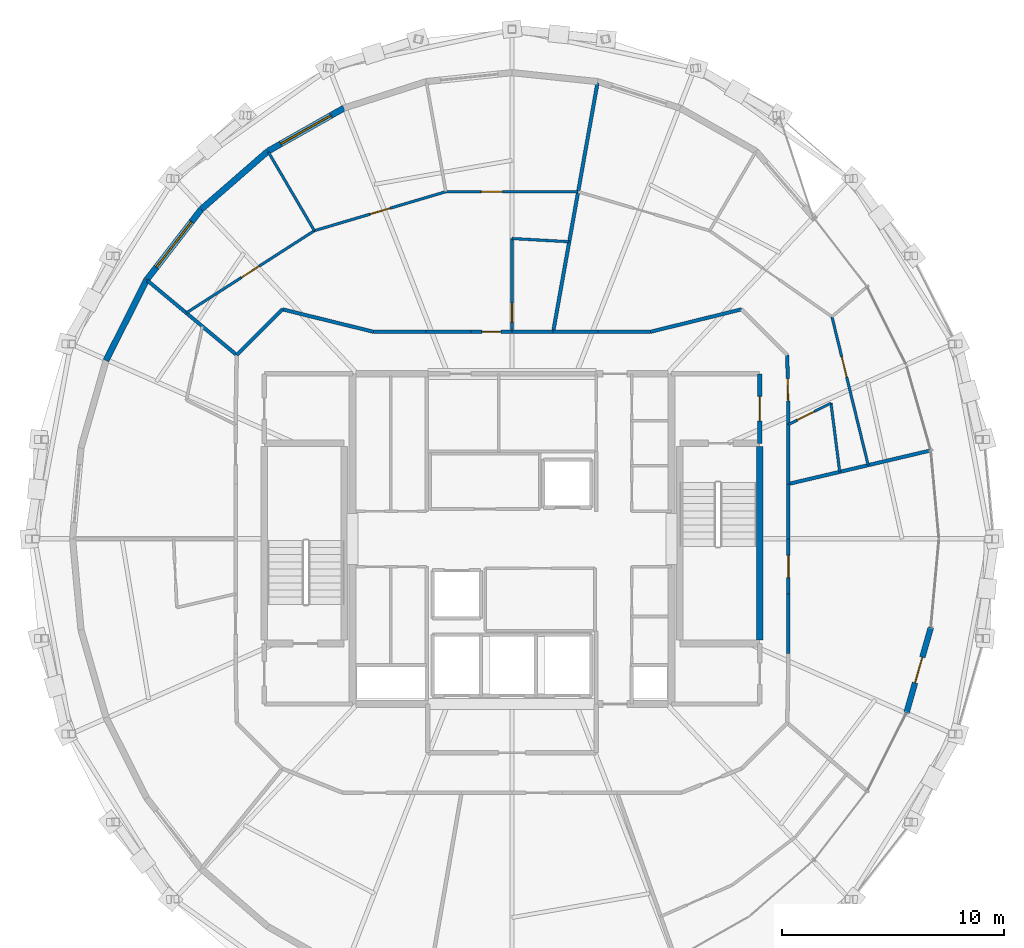
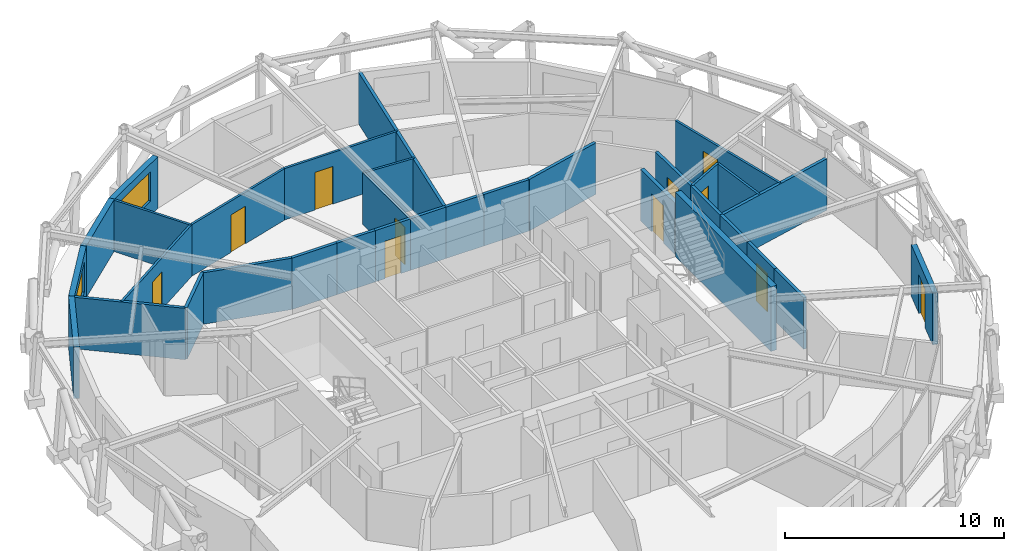
# One storey, part 13 of 15: 33 walls, 11 doors, 2 windows, 13 openings.
"""IFC4 building model written with IfcOpenShell, lengths in metres."""

from ifc_helpers import new_model, si_unit, direction, frame, frame_2d, origin, place, context, subcontext, project, spatial, rectangle, extrude, material, layer, layer_set, type_object, element, fill, save


model = new_model("IFC4")

# Units and contexts
model_context = context("Model", 3, precision=1e-05, world=origin(), true_north=direction((0.0, 1.0)))
body_context = subcontext(model_context, "Body", "Model", "MODEL_VIEW")
ifc_project = project(units=[si_unit("LENGTHUNIT", "METRE"), si_unit("AREAUNIT", "SQUARE_METRE"), si_unit("VOLUMEUNIT", "CUBIC_METRE"), si_unit("PLANEANGLEUNIT", "RADIAN"), si_unit("MASSUNIT", "GRAM", prefix="KILO")], contexts=[model_context])

# Site, building, storey
site_placement = place(None, origin())
site = spatial("IfcSite", under=ifc_project, at=site_placement, CompositionType="ELEMENT")
building_placement = place(site_placement, origin())
building = spatial("IfcBuilding", under=site, at=building_placement, Name="Veldorina Hangang Commons", CompositionType="ELEMENT")
storey_placement = place(building_placement, frame((0.0, 0.0, 265.199951171875)))
storey = spatial("IfcBuildingStorey", under=building, at=storey_placement, Name="L69", CompositionType="ELEMENT", Elevation=265.199951171875)

# Wall, opening, door
ifc_material_1 = material(Name="Stone Roman Travertine", Category="masonry")
ifc_layer_1 = layer(ifc_material_1, 0.260009765625)
ifc_layer_set_1 = layer_set([ifc_layer_1], Name="Stone Roman Travertine")
wall_type_1 = type_object("IfcWallType", Name="EW-LOGGIA-260", PredefinedType="STANDARD", material=ifc_layer_set_1)
wall_1_placement = place(storey_placement, frame((49.80908203125, 16.1591796875, 0.0), z_axis=(0.0, 0.0, 1.0), x_axis=(0.274438758608, 0.961604579738, 0.0)))
wall_1 = element("IfcWall", 1, at=wall_1_placement, inside=storey, type_object=wall_type_1, Name="L69 sky-garden loggia portal wall 30", PredefinedType="STANDARD", context=body_context, shape_type="SweptSolid", body=[
    extrude(rectangle(XDim=3.9970703125, YDim=0.260009765625, at=frame_2d((1.99853515625, 0.0))), origin(), (0.0, 0.0, 1.0), 2.880126953125),
])
opening_1_placement = place(wall_1_placement, frame((1.3984375, 0.0, 0.0)))
opening_1 = element("IfcOpeningElement", 2, at=opening_1_placement, cuts=wall_1, Name="Opening BD-1200", PredefinedType="OPENING", context=body_context, shape_type="SweptSolid", body=[
    extrude(rectangle(XDim=1.199951171875, YDim=2.14990234375, at=frame_2d((0.60009765625, 1.074951171875))), frame((0.0, 0.14013671875, 0.0), z_axis=(0.0, -1.0, 0.0), x_axis=(1.0, 0.0, 0.0)), (0.0, 0.0, 1.0), 0.280029296875),
])
ifc_material_2 = material(Name="Glass Thermal Aluminium Frame", Category="aluminium")
door_type_1 = type_object("IfcDoorType", Name="DR-EXT-LOG1200", OperationType="SINGLE_SWING_LEFT", PredefinedType="DOOR", material=ifc_material_2)
door_1_placement = place(opening_1_placement, origin())
door_1 = element("IfcDoor", 3, at=door_1_placement, inside=storey, type_object=door_type_1, Name="L69 loggia glazed exterior door 30", OperationType="SINGLE_SWING_LEFT", OverallHeight=2.14990234375, OverallWidth=1.199951171875, PredefinedType="DOOR", context=body_context, shape_type="SweptSolid", body=[
    extrude(rectangle(XDim=1.199951171875, YDim=2.14990234375, at=frame_2d((0.60009765625, 1.074951171875))), frame((0.0, 0.02490234375, 0.0), z_axis=(0.0, -1.0, 0.0), x_axis=(1.0, 0.0, 0.0)), (0.0, 0.0, 1.0), 0.050048828125),
])
fill(opening_1, door_1)

# Wall, opening, window
ifc_layer_2 = layer(ifc_material_1, 0.280029296875)
ifc_layer_set_2 = layer_set([ifc_layer_2], Name="Stone Roman Travertine")
wall_type_2 = type_object("IfcWallType", Name="EW-TRAV-280", PredefinedType="STANDARD", material=ifc_layer_set_2)
wall_2_placement = place(storey_placement, frame((24.408935546875, 43.44677734375, 0.0), z_axis=(0.0, 0.0, 1.0), x_axis=(-0.869835312163, -0.49334220346, 0.0)))
wall_2 = element("IfcWall", 4, at=wall_2_placement, inside=storey, type_object=wall_type_2, Name="L69 travertine facade wall 10", PredefinedType="STANDARD", context=body_context, shape_type="SweptSolid", body=[
    extrude(rectangle(XDim=3.942626953125, YDim=0.280029296875, at=frame_2d((1.97119140625, 0.0))), origin(), (0.0, 0.0, 1.0), 2.880126953125),
])
opening_2_placement = place(wall_2_placement, frame((0.67138671875, 0.0, 0.800048828125)))
opening_2 = element("IfcOpeningElement", 5, at=opening_2_placement, cuts=wall_2, Name="Opening W-02", PredefinedType="OPENING", context=body_context, shape_type="SweptSolid", body=[
    extrude(rectangle(XDim=2.60009765625, YDim=1.64990234375, at=frame_2d((1.300048828125, 0.824951171875))), frame((0.0, 0.14990234375, 0.0), z_axis=(0.0, -1.0, 0.0), x_axis=(1.0, 0.0, 0.0)), (0.0, 0.0, 1.0), 0.300048828125),
])
ifc_material_3 = material(Name="Glass Low-E Triple IGU", Category="glass")
window_type = type_object("IfcWindowType", Name="WIN-TWR-2600", PartitioningType="SINGLE_PANEL", PredefinedType="WINDOW", material=ifc_material_3)
window_1_placement = place(opening_2_placement, origin())
window_1 = element("IfcWindow", 6, at=window_1_placement, inside=storey, type_object=window_type, Name="L69 facade window 10", OverallHeight=1.64990234375, OverallWidth=2.60009765625, PartitioningType="SINGLE_PANEL", PredefinedType="WINDOW", context=body_context, shape_type="SweptSolid", body=[
    extrude(rectangle(XDim=2.60009765625, YDim=1.64990234375, at=frame_2d((1.300048828125, 0.824951171875))), frame((0.0, 0.030029296875, 0.0), z_axis=(0.0, -1.0, 0.0), x_axis=(1.0, 0.0, 0.0)), (0.0, 0.0, 1.0), 0.06005859375),
])
fill(opening_2, window_1)

# Wall
wall_3_placement = place(storey_placement, frame((20.9794921875, 41.501708984375, 0.0), z_axis=(0.0, 0.0, 1.0), x_axis=(-0.75414910989, -0.656703220681, 0.0)))
element("IfcWall", 7, at=wall_3_placement, inside=storey, type_object=wall_type_2, Name="L69 travertine facade wall 11", PredefinedType="STANDARD", context=body_context, shape_type="SweptSolid", body=[
    extrude(rectangle(XDim=3.986083984375, YDim=0.280029296875, at=frame_2d((1.9931640625, 0.0))), origin(), (0.0, 0.0, 1.0), 2.880126953125),
])

# Wall, opening, window
wall_4_placement = place(storey_placement, frame((17.973388671875, 38.884033203125, 0.0), z_axis=(0.0, 0.0, 1.0), x_axis=(-0.611762796107, -0.791041263968, 0.0)))
wall_4 = element("IfcWall", 8, at=wall_4_placement, inside=storey, type_object=wall_type_2, Name="L69 travertine facade wall 12", PredefinedType="STANDARD", context=body_context, shape_type="SweptSolid", body=[
    extrude(rectangle(XDim=4.0322265625, YDim=0.280029296875, at=frame_2d((2.01611328125, 0.0))), origin(), (0.0, 0.0, 1.0), 2.880126953125),
])
opening_3_placement = place(wall_4_placement, frame((0.71630859375, 0.0, 0.800048828125)))
opening_3 = element("IfcOpeningElement", 9, at=opening_3_placement, cuts=wall_4, Name="Opening W-02", PredefinedType="OPENING", context=body_context, shape_type="SweptSolid", body=[
    extrude(rectangle(XDim=2.60009765625, YDim=1.64990234375, at=frame_2d((1.300048828125, 0.824951171875))), frame((0.0, 0.14990234375, 0.0), z_axis=(0.0, -1.0, 0.0), x_axis=(1.0, 0.0, 0.0)), (0.0, 0.0, 1.0), 0.300048828125),
])
window_2_placement = place(opening_3_placement, origin())
window_2 = element("IfcWindow", 10, at=window_2_placement, inside=storey, type_object=window_type, Name="L69 facade window 12", OverallHeight=1.64990234375, OverallWidth=2.60009765625, PartitioningType="SINGLE_PANEL", PredefinedType="WINDOW", context=body_context, shape_type="SweptSolid", body=[
    extrude(rectangle(XDim=2.60009765625, YDim=1.64990234375, at=frame_2d((1.300048828125, 0.824951171875))), frame((0.0, 0.030029296875, 0.0), z_axis=(0.0, -1.0, 0.0), x_axis=(1.0, 0.0, 0.0)), (0.0, 0.0, 1.0), 0.06005859375),
])
fill(opening_3, window_2)

# Walls
wall_5_placement = place(storey_placement, frame((15.506591796875, 35.6943359375, 0.0), z_axis=(0.0, 0.0, 1.0), x_axis=(-0.449847948813, -0.893105157833, 0.0)))
element("IfcWall", 11, at=wall_5_placement, inside=storey, type_object=wall_type_2, Name="L69 travertine facade wall 13", PredefinedType="STANDARD", context=body_context, shape_type="SweptSolid", body=[
    extrude(rectangle(XDim=4.07470703125, YDim=0.280029296875, at=frame_2d((2.037353515625, 0.0))), origin(), (0.0, 0.0, 1.0), 2.880126953125),
])
ifc_material_4 = material(Name="Concrete C50/60", Category="concrete")
ifc_layer_3 = layer(ifc_material_4, 0.300048828125)
ifc_layer_set_3 = layer_set([ifc_layer_3], Name="Concrete C50/60")
wall_type_3 = type_object("IfcWallType", Name="SW-STAIR-300", PredefinedType="SHEAR", material=ifc_layer_set_3)
wall_6_placement = place(storey_placement, frame((43.179931640625, 19.429931640625, 0.0), z_axis=(0.0, 0.0, 1.0), x_axis=(0.0, 1.0, 0.0)))
element("IfcWall", 12, at=wall_6_placement, inside=storey, type_object=wall_type_3, Name="L69 ST2 outer stair shear wall", PredefinedType="SHEAR", context=body_context, shape_type="SweptSolid", body=[
    extrude(rectangle(XDim=8.739990234375, YDim=0.300048828125, at=frame_2d((4.3701171875, 0.0))), origin(), (0.0, 0.0, 1.0), 3.60009765625),
])
ifc_material_5 = material(Name="Gypsum Fire-Rated Twin Stud Wall", Category="gypsum")
ifc_layer_4 = layer(ifc_material_5, 0.159912109375)
ifc_layer_set_4 = layer_set([ifc_layer_4], Name="Gypsum Fire-Rated Twin Stud Wall")
wall_type_4 = type_object("IfcWallType", Name="WL-FIRE-160", PredefinedType="SOLIDWALL", material=ifc_layer_set_4)
wall_7_placement = place(storey_placement, frame((44.47998046875, 24.0, 0.0), z_axis=(0.0, 0.0, 1.0), x_axis=(0.0, 1.0, 0.0)))
element("IfcWall", 13, at=wall_7_placement, inside=storey, type_object=wall_type_4, Name="L69 Compact collar outer wall 00 056", PredefinedType="SOLIDWALL", context=body_context, shape_type="SweptSolid", body=[
    extrude(rectangle(XDim=2.482421875, YDim=0.159912109375, at=frame_2d((1.2412109375, 0.0))), origin(), (0.0, 0.0, 1.0), 2.8701171875),
])
wall_8_placement = place(storey_placement, frame((44.47998046875, 26.482421875, 0.0), z_axis=(0.0, 0.0, 1.0), x_axis=(0.0, 1.0, 0.0)))
element("IfcWall", 14, at=wall_8_placement, inside=storey, type_object=wall_type_4, Name="L69 Compact collar outer wall 01 057", PredefinedType="SOLIDWALL", context=body_context, shape_type="SweptSolid", body=[
    extrude(rectangle(XDim=2.68701171875, YDim=0.159912109375, at=frame_2d((1.343505859375, 0.0))), origin(), (0.0, 0.0, 1.0), 2.8701171875),
])

# Wall, opening, door
wall_9_placement = place(storey_placement, frame((44.47998046875, 29.16943359375, 0.0), z_axis=(0.0, 0.0, 1.0), x_axis=(-0.016981035134, 0.999855811828, 0.0)))
wall_9 = element("IfcWall", 15, at=wall_9_placement, inside=storey, type_object=wall_type_4, Name="L69 Compact collar outer wall 02 058", PredefinedType="SOLIDWALL", context=body_context, shape_type="SweptSolid", body=[
    extrude(rectangle(XDim=3.13427734375, YDim=0.159912109375, at=frame_2d((1.567138671875, 0.0))), origin(), (0.0, 0.0, 1.0), 2.8701171875),
])
opening_4_placement = place(wall_9_placement, frame((1.067138671875, 0.0, 0.0)))
opening_4 = element("IfcOpeningElement", 16, at=opening_4_placement, cuts=wall_9, Name="Opening D-06", PredefinedType="OPENING", context=body_context, shape_type="SweptSolid", body=[
    extrude(rectangle(XDim=1.0, YDim=2.10009765625, at=frame_2d((0.5, 1.050048828125))), frame((0.0, 0.08984375, 0.0), z_axis=(0.0, -1.0, 0.0), x_axis=(1.0, 0.0, 0.0)), (0.0, 0.0, 1.0), 0.179931640625),
])
ifc_material_6 = material(Name="Timber Fire-Rated Entrance Core", Category="wood")
door_type_2 = type_object("IfcDoorType", Name="DR-UNIT-1000", OperationType="SINGLE_SWING_LEFT", PredefinedType="DOOR", material=ifc_material_6)
door_2_placement = place(opening_4_placement, origin())
door_2 = element("IfcDoor", 17, at=door_2_placement, inside=storey, type_object=door_type_2, Name="L69 Cluster 2 entrance door 026", OperationType="SINGLE_SWING_RIGHT", OverallHeight=2.10009765625, OverallWidth=1.0, PredefinedType="DOOR", context=body_context, shape_type="SweptSolid", body=[
    extrude(rectangle(XDim=1.0, YDim=2.10009765625, at=frame_2d((0.5, 1.050048828125))), frame((0.0, 0.02490234375, 0.0), z_axis=(0.0, -1.0, 0.0), x_axis=(1.0, 0.0, 0.0)), (0.0, 0.0, 1.0), 0.050048828125),
])
fill(opening_4, door_2)

# Walls
wall_10_placement = place(storey_placement, frame((42.364990234375, 34.364990234375, 0.0), z_axis=(0.0, 0.0, 1.0), x_axis=(-0.970939799552, -0.239323850978, 0.0)))
element("IfcWall", 18, at=wall_10_placement, inside=storey, type_object=wall_type_4, Name="L69 Compact collar outer wall 04 060", PredefinedType="SOLIDWALL", context=body_context, shape_type="SweptSolid", body=[
    extrude(rectangle(XDim=4.24072265625, YDim=0.159912109375, at=frame_2d((2.120361328125, 0.0))), origin(), (0.0, 0.0, 1.0), 2.8701171875),
])
wall_11_placement = place(storey_placement, frame((38.24755859375, 33.35009765625, 0.0), z_axis=(0.0, 0.0, 1.0), x_axis=(-1.0, 0.0, 0.0)))
element("IfcWall", 19, at=wall_11_placement, inside=storey, type_object=wall_type_4, Name="L69 Compact collar outer wall 05 061", PredefinedType="SOLIDWALL", context=body_context, shape_type="SweptSolid", body=[
    extrude(rectangle(XDim=2.374755859375, YDim=0.159912109375, at=frame_2d((1.1875, 0.0))), origin(), (0.0, 0.0, 1.0), 2.8701171875),
])
wall_12_placement = place(storey_placement, frame((35.872802734375, 33.35009765625, 0.0), z_axis=(0.0, 0.0, 1.0), x_axis=(-1.0, 0.0, 0.0)))
element("IfcWall", 20, at=wall_12_placement, inside=storey, type_object=wall_type_4, Name="L69 Compact collar outer wall 06 062", PredefinedType="SOLIDWALL", context=body_context, shape_type="SweptSolid", body=[
    extrude(rectangle(XDim=2.012939453125, YDim=0.159912109375, at=frame_2d((1.00634765625, 0.0))), origin(), (0.0, 0.0, 1.0), 2.8701171875),
])
wall_13_placement = place(storey_placement, frame((33.85986328125, 33.35009765625, 0.0), z_axis=(0.0, 0.0, 1.0), x_axis=(-1.0, 0.0, 0.0)))
element("IfcWall", 21, at=wall_13_placement, inside=storey, type_object=wall_type_4, Name="L69 Compact collar outer wall 07 063", PredefinedType="SOLIDWALL", context=body_context, shape_type="SweptSolid", body=[
    extrude(rectangle(XDim=1.85986328125, YDim=0.159912109375, at=frame_2d((0.929931640625, 0.0))), origin(), (0.0, 0.0, 1.0), 2.8701171875),
])

# Wall, opening, door
wall_14_placement = place(storey_placement, frame((32.0, 33.35009765625, 0.0), z_axis=(0.0, 0.0, 1.0), x_axis=(-1.0, 0.0, 0.0)))
wall_14 = element("IfcWall", 22, at=wall_14_placement, inside=storey, type_object=wall_type_4, Name="L69 Compact collar outer wall 08 064", PredefinedType="SOLIDWALL", context=body_context, shape_type="SweptSolid", body=[
    extrude(rectangle(XDim=1.85986328125, YDim=0.159912109375, at=frame_2d((0.929931640625, 0.0))), origin(), (0.0, 0.0, 1.0), 2.8701171875),
])
opening_5_placement = place(wall_14_placement, frame((0.5, 0.0, 0.0)))
opening_5 = element("IfcOpeningElement", 23, at=opening_5_placement, cuts=wall_14, Name="Opening D-01N", PredefinedType="OPENING", context=body_context, shape_type="SweptSolid", body=[
    extrude(rectangle(XDim=0.860107421875, YDim=2.10009765625, at=frame_2d((0.43017578125, 1.050048828125))), frame((0.0, 0.08984375, 0.0), z_axis=(0.0, -1.0, 0.0), x_axis=(1.0, 0.0, 0.0)), (0.0, 0.0, 1.0), 0.179931640625),
])
ifc_material_7 = material(Name="Timber Fire-Rated Core", Category="wood")
door_type_3 = type_object("IfcDoorType", Name="DR-INT-860", OperationType="SINGLE_SWING_LEFT", PredefinedType="DOOR", material=ifc_material_7)
door_3_placement = place(opening_5_placement, origin())
door_3 = element("IfcDoor", 24, at=door_3_placement, inside=storey, type_object=door_type_3, Name="L69 Cluster 3 entrance door 031", OperationType="SINGLE_SWING_LEFT", OverallHeight=2.10009765625, OverallWidth=0.860107421875, PredefinedType="DOOR", context=body_context, shape_type="SweptSolid", body=[
    extrude(rectangle(XDim=0.860107421875, YDim=2.10009765625, at=frame_2d((0.43017578125, 1.050048828125))), frame((0.0, 0.02490234375, 0.0), z_axis=(0.0, -1.0, 0.0), x_axis=(1.0, 0.0, 0.0)), (0.0, 0.0, 1.0), 0.050048828125),
])
fill(opening_5, door_3)

# Walls
wall_15_placement = place(storey_placement, frame((30.14013671875, 33.35009765625, 0.0), z_axis=(0.0, 0.0, 1.0), x_axis=(-1.0, 0.0, 0.0)))
element("IfcWall", 25, at=wall_15_placement, inside=storey, type_object=wall_type_4, Name="L69 Compact collar outer wall 09 065", PredefinedType="SOLIDWALL", context=body_context, shape_type="SweptSolid", body=[
    extrude(rectangle(XDim=2.012939453125, YDim=0.159912109375, at=frame_2d((1.00634765625, 0.0))), origin(), (0.0, 0.0, 1.0), 2.8701171875),
])
wall_16_placement = place(storey_placement, frame((28.127197265625, 33.35009765625, 0.0), z_axis=(0.0, 0.0, 1.0), x_axis=(-1.0, 0.0, 0.0)))
element("IfcWall", 26, at=wall_16_placement, inside=storey, type_object=wall_type_4, Name="L69 Compact collar outer wall 10 066", PredefinedType="SOLIDWALL", context=body_context, shape_type="SweptSolid", body=[
    extrude(rectangle(XDim=2.374755859375, YDim=0.159912109375, at=frame_2d((1.1875, 0.0))), origin(), (0.0, 0.0, 1.0), 2.8701171875),
])
wall_17_placement = place(storey_placement, frame((25.75244140625, 33.35009765625, 0.0), z_axis=(0.0, 0.0, 1.0), x_axis=(-0.970939799552, 0.239323850978, 0.0)))
element("IfcWall", 27, at=wall_17_placement, inside=storey, type_object=wall_type_4, Name="L69 Compact collar outer wall 11 067", PredefinedType="SOLIDWALL", context=body_context, shape_type="SweptSolid", body=[
    extrude(rectangle(XDim=4.24072265625, YDim=0.159912109375, at=frame_2d((2.120361328125, 0.0))), origin(), (0.0, 0.0, 1.0), 2.8701171875),
])
wall_18_placement = place(storey_placement, frame((21.635009765625, 34.364990234375, 0.0), z_axis=(0.0, 0.0, 1.0), x_axis=(-0.707106781187, -0.707106781187, 0.0)))
element("IfcWall", 28, at=wall_18_placement, inside=storey, type_object=wall_type_4, Name="L69 Compact collar outer wall 12 068", PredefinedType="SOLIDWALL", context=body_context, shape_type="SweptSolid", body=[
    extrude(rectangle(XDim=2.915771484375, YDim=0.159912109375, at=frame_2d((1.4580078125, 0.0))), origin(), (0.0, 0.0, 1.0), 2.8701171875),
])
wall_19_placement = place(storey_placement, frame((44.47998046875, 18.83056640625, 0.0), z_axis=(0.0, 0.0, 1.0), x_axis=(0.0, 1.0, 0.0)))
element("IfcWall", 29, at=wall_19_placement, inside=storey, type_object=wall_type_4, Name="L69 Compact collar outer wall 30 086", PredefinedType="SOLIDWALL", context=body_context, shape_type="SweptSolid", body=[
    extrude(rectangle(XDim=2.68701171875, YDim=0.159912109375, at=frame_2d((1.343505859375, 0.0))), origin(), (0.0, 0.0, 1.0), 2.8701171875),
])

# Wall, opening, door
wall_20_placement = place(storey_placement, frame((44.47998046875, 21.517578125, 0.0), z_axis=(0.0, 0.0, 1.0), x_axis=(0.0, 1.0, 0.0)))
wall_20 = element("IfcWall", 30, at=wall_20_placement, inside=storey, type_object=wall_type_4, Name="L69 Compact collar outer wall 31 087", PredefinedType="SOLIDWALL", context=body_context, shape_type="SweptSolid", body=[
    extrude(rectangle(XDim=2.482421875, YDim=0.159912109375, at=frame_2d((1.2412109375, 0.0))), origin(), (0.0, 0.0, 1.0), 2.8701171875),
])
opening_6_placement = place(wall_20_placement, frame((0.7412109375, 0.0, 0.0)))
opening_6 = element("IfcOpeningElement", 31, at=opening_6_placement, cuts=wall_20, Name="Opening D-05", PredefinedType="OPENING", context=body_context, shape_type="SweptSolid", body=[
    extrude(rectangle(XDim=1.0, YDim=2.10009765625, at=frame_2d((0.5, 1.050048828125))), frame((0.0, 0.08984375, 0.0), z_axis=(0.0, -1.0, 0.0), x_axis=(1.0, 0.0, 0.0)), (0.0, 0.0, 1.0), 0.179931640625),
])
ifc_material_8 = material(Name="Timber Solid Core Acoustic", Category="wood")
door_type_4 = type_object("IfcDoorType", Name="DR-INT-1000", OperationType="SINGLE_SWING_RIGHT", PredefinedType="DOOR", material=ifc_material_8)
door_4_placement = place(opening_6_placement, origin())
door_4 = element("IfcDoor", 32, at=door_4_placement, inside=storey, type_object=door_type_4, Name="L69 Sky-Garden Commons Lounge door 024", OperationType="SINGLE_SWING_RIGHT", OverallHeight=2.10009765625, OverallWidth=1.0, PredefinedType="DOOR", context=body_context, shape_type="SweptSolid", body=[
    extrude(rectangle(XDim=1.0, YDim=2.10009765625, at=frame_2d((0.5, 1.050048828125))), frame((0.0, 0.02490234375, 0.0), z_axis=(0.0, -1.0, 0.0), x_axis=(1.0, 0.0, 0.0)), (0.0, 0.0, 1.0), 0.050048828125),
])
fill(opening_6, door_4)

# Walls
wall_21_placement = place(storey_placement, frame((44.47998046875, 26.482421875, 0.0), z_axis=(0.0, 0.0, 1.0), x_axis=(0.973328646979, 0.229415223928, 0.0)))
element("IfcWall", 33, at=wall_21_placement, inside=storey, type_object=wall_type_4, Name="L69 Unit party wall 01 089", PredefinedType="SOLIDWALL", context=body_context, shape_type="SweptSolid", body=[
    extrude(rectangle(XDim=6.55224609375, YDim=0.159912109375, at=frame_2d((3.276123046875, 0.0))), origin(), (0.0, 0.0, 1.0), 2.8701171875),
])
wall_22_placement = place(storey_placement, frame((33.85986328125, 33.35009765625, 0.0), z_axis=(0.0, 0.0, 1.0), x_axis=(0.175206916814, 0.984531632961, 0.0)))
element("IfcWall", 34, at=wall_22_placement, inside=storey, type_object=wall_type_4, Name="L69 Unit party wall 07 097", PredefinedType="SOLIDWALL", context=body_context, shape_type="SweptSolid", body=[
    extrude(rectangle(XDim=11.422119140625, YDim=0.159912109375, at=frame_2d((5.7109375, 0.0))), origin(), (0.0, 0.0, 1.0), 2.8701171875),
])
wall_23_placement = place(storey_placement, frame((19.5732421875, 32.30322265625, 0.0), z_axis=(0.0, 0.0, 1.0), x_axis=(-0.76801521487, 0.640431596448, 0.0)))
element("IfcWall", 35, at=wall_23_placement, inside=storey, type_object=wall_type_4, Name="L69 Unit party wall 13 105", PredefinedType="SOLIDWALL", context=body_context, shape_type="SweptSolid", body=[
    extrude(rectangle(XDim=5.2451171875, YDim=0.159912109375, at=frame_2d((2.62255859375, 0.0))), origin(), (0.0, 0.0, 1.0), 2.8701171875),
])

# Wall, opening, door
ifc_material_9 = material(Name="Concrete Blockwork Fire Wall C30/37", Category="masonry")
ifc_layer_5 = layer(ifc_material_9, 0.199951171875)
ifc_layer_set_5 = layer_set([ifc_layer_5], Name="Concrete Blockwork Fire Wall C30/37")
wall_type_5 = type_object("IfcWallType", Name="WL-FIRE-200", PredefinedType="SOLIDWALL", material=ifc_layer_set_5)
wall_24_placement = place(storey_placement, frame((43.179931640625, 28.320068359375, 0.0), z_axis=(0.0, 0.0, 1.0), x_axis=(0.0, 1.0, 0.0)))
wall_24 = element("IfcWall", 36, at=wall_24_placement, inside=storey, type_object=wall_type_5, Name="L69 East vestibule outer wall 003", PredefinedType="SOLIDWALL", context=body_context, shape_type="SweptSolid", body=[
    extrude(rectangle(XDim=3.1298828125, YDim=0.199951171875, at=frame_2d((1.56494140625, 0.0))), origin(), (0.0, 0.0, 1.0), 2.8701171875),
])
opening_7_placement = place(wall_24_placement, frame((1.014892578125, 0.0, 0.0)))
opening_7 = element("IfcOpeningElement", 37, at=opening_7_placement, cuts=wall_24, Name="Opening D-08", PredefinedType="OPENING", context=body_context, shape_type="SweptSolid", body=[
    extrude(rectangle(XDim=1.10009765625, YDim=2.10009765625, at=frame_2d((0.550048828125, 1.050048828125))), frame((0.0, 0.10986328125, 0.0), z_axis=(0.0, -1.0, 0.0), x_axis=(1.0, 0.0, 0.0)), (0.0, 0.0, 1.0), 0.219970703125),
])
ifc_material_10 = material(Name="Steel Fire-Rated Smoke Seal", Category="steel")
door_type_5 = type_object("IfcDoorType", Name="DR-FIRE-1100", OperationType="SINGLE_SWING_RIGHT", PredefinedType="DOOR", material=ifc_material_10)
door_5_placement = place(opening_7_placement, origin())
door_5 = element("IfcDoor", 38, at=door_5_placement, inside=storey, type_object=door_type_5, Name="L69 East vestibule east door 002", OperationType="SINGLE_SWING_RIGHT", OverallHeight=2.10009765625, OverallWidth=1.10009765625, PredefinedType="DOOR", context=body_context, shape_type="SweptSolid", body=[
    extrude(rectangle(XDim=1.10009765625, YDim=2.10009765625, at=frame_2d((0.550048828125, 1.050048828125))), frame((0.0, 0.02490234375, 0.0), z_axis=(0.0, -1.0, 0.0), x_axis=(1.0, 0.0, 0.0)), (0.0, 0.0, 1.0), 0.050048828125),
])
fill(opening_7, door_5)

# Wall
ifc_material_11 = material(Name="Gypsum Acoustic Stud Partition", Category="gypsum")
ifc_layer_6 = layer(ifc_material_11, 0.1201171875)
ifc_layer_set_6 = layer_set([ifc_layer_6], Name="Gypsum Acoustic Stud Partition")
wall_type_6 = type_object("IfcWallType", Name="WL-PART-120", PredefinedType="PARTITIONING", material=ifc_layer_set_6)
wall_25_placement = place(storey_placement, frame((46.79345703125, 27.027587890625, 0.0), z_axis=(0.0, 0.0, 1.0), x_axis=(-0.126262657016, 0.99199684548, 0.0)))
element("IfcWall", 39, at=wall_25_placement, inside=storey, type_object=wall_type_6, Name="L69 Cluster 2 bath front wall 090", PredefinedType="PARTITIONING", context=body_context, shape_type="SweptSolid", body=[
    extrude(rectangle(XDim=3.128662109375, YDim=0.1201171875, at=frame_2d((1.564453125, 0.0))), origin(), (0.0, 0.0, 1.0), 2.8701171875),
])

# Wall, opening, door
wall_26_placement = place(storey_placement, frame((44.47998046875, 29.16943359375, 0.0), z_axis=(0.0, 0.0, 1.0), x_axis=(0.893971664745, 0.448123490383, 0.0)))
wall_26 = element("IfcWall", 40, at=wall_26_placement, inside=storey, type_object=wall_type_6, Name="L69 Cluster 2 bath side wall 091", PredefinedType="PARTITIONING", context=body_context, shape_type="SweptSolid", body=[
    extrude(rectangle(XDim=2.14599609375, YDim=0.1201171875, at=frame_2d((1.072998046875, 0.0))), origin(), (0.0, 0.0, 1.0), 2.8701171875),
])
opening_8_placement = place(wall_26_placement, frame((0.43994140625, 0.0, 0.0)))
opening_8 = element("IfcOpeningElement", 41, at=opening_8_placement, cuts=wall_26, Name="Opening D-01", PredefinedType="OPENING", context=body_context, shape_type="SweptSolid", body=[
    extrude(rectangle(XDim=0.860107421875, YDim=2.10009765625, at=frame_2d((0.43017578125, 1.050048828125))), frame((0.0, 0.070068359375, 0.0), z_axis=(0.0, -1.0, 0.0), x_axis=(1.0, 0.0, 0.0)), (0.0, 0.0, 1.0), 0.14013671875),
])
ifc_material_12 = material(Name="Timber Moisture-Resistant Core", Category="wood")
door_type_6 = type_object("IfcDoorType", Name="DR-WET-860", OperationType="SINGLE_SWING_LEFT", PredefinedType="DOOR", material=ifc_material_12)
door_6_placement = place(opening_8_placement, origin())
door_6 = element("IfcDoor", 42, at=door_6_placement, inside=storey, type_object=door_type_6, Name="L69 Cluster 2 shared bathroom door 025", OperationType="SINGLE_SWING_LEFT", OverallHeight=2.10009765625, OverallWidth=0.860107421875, PredefinedType="DOOR", context=body_context, shape_type="SweptSolid", body=[
    extrude(rectangle(XDim=0.860107421875, YDim=2.10009765625, at=frame_2d((0.43017578125, 1.050048828125))), frame((0.0, 0.02490234375, 0.0), z_axis=(0.0, -1.0, 0.0), x_axis=(1.0, 0.0, 0.0)), (0.0, 0.0, 1.0), 0.050048828125),
])
fill(opening_8, door_6)

wall_27_placement = place(storey_placement, frame((48.07861328125, 27.330810546875, 0.0), z_axis=(0.0, 0.0, 1.0), x_axis=(-0.237199115633, 0.971461054054, 0.0)))
wall_27 = element("IfcWall", 43, at=wall_27_placement, inside=storey, type_object=wall_type_6, Name="L69 Cluster 2 bed 1 front wall 092", PredefinedType="PARTITIONING", context=body_context, shape_type="SweptSolid", body=[
    extrude(rectangle(XDim=6.89404296875, YDim=0.1201171875, at=frame_2d((3.447021484375, 0.0))), origin(), (0.0, 0.0, 1.0), 2.8701171875),
])
opening_9_placement = place(wall_27_placement, frame((4.086181640625, 0.0, 0.0)))
opening_9 = element("IfcOpeningElement", 44, at=opening_9_placement, cuts=wall_27, Name="Opening D-02", PredefinedType="OPENING", context=body_context, shape_type="SweptSolid", body=[
    extrude(rectangle(XDim=0.949951171875, YDim=2.10009765625, at=frame_2d((0.47509765625, 1.050048828125))), frame((0.0, 0.070068359375, 0.0), z_axis=(0.0, -1.0, 0.0), x_axis=(1.0, 0.0, 0.0)), (0.0, 0.0, 1.0), 0.14013671875),
])
door_type_7 = type_object("IfcDoorType", Name="DR-INT-950", OperationType="SINGLE_SWING_LEFT", PredefinedType="DOOR", material=ifc_material_8)
door_7_placement = place(opening_9_placement, origin())
door_7 = element("IfcDoor", 45, at=door_7_placement, inside=storey, type_object=door_type_7, Name="L69 Cluster 2 bed 1 door 027", OperationType="SINGLE_SWING_LEFT", OverallHeight=2.10009765625, OverallWidth=0.949951171875, PredefinedType="DOOR", context=body_context, shape_type="SweptSolid", body=[
    extrude(rectangle(XDim=0.949951171875, YDim=2.10009765625, at=frame_2d((0.47509765625, 1.050048828125))), frame((0.0, 0.02490234375, 0.0), z_axis=(0.0, -1.0, 0.0), x_axis=(1.0, 0.0, 0.0)), (0.0, 0.0, 1.0), 0.050048828125),
])
fill(opening_9, door_7)

# Wall
wall_28_placement = place(storey_placement, frame((34.58349609375, 37.416015625, 0.0), z_axis=(0.0, 0.0, 1.0), x_axis=(-0.99841237493, 0.056326988077, 0.0)))
element("IfcWall", 46, at=wall_28_placement, inside=storey, type_object=wall_type_6, Name="L69 Cluster 3 bath front wall 098", PredefinedType="PARTITIONING", context=body_context, shape_type="SweptSolid", body=[
    extrude(rectangle(XDim=2.587646484375, YDim=0.1201171875, at=frame_2d((1.2939453125, 0.0))), origin(), (0.0, 0.0, 1.0), 2.8701171875),
])

# Wall, opening, door
wall_29_placement = place(storey_placement, frame((32.0, 33.35009765625, 0.0), z_axis=(0.0, 0.0, 1.0), x_axis=(0.0, 1.0, 0.0)))
wall_29 = element("IfcWall", 47, at=wall_29_placement, inside=storey, type_object=wall_type_6, Name="L69 Cluster 3 bath side wall 099", PredefinedType="PARTITIONING", context=body_context, shape_type="SweptSolid", body=[
    extrude(rectangle(XDim=4.211669921875, YDim=0.1201171875, at=frame_2d((2.10595703125, 0.0))), origin(), (0.0, 0.0, 1.0), 2.8701171875),
])
opening_10_placement = place(wall_29_placement, frame((0.43994140625, 0.0, 0.0)))
opening_10 = element("IfcOpeningElement", 48, at=opening_10_placement, cuts=wall_29, Name="Opening D-01", PredefinedType="OPENING", context=body_context, shape_type="SweptSolid", body=[
    extrude(rectangle(XDim=0.860107421875, YDim=2.10009765625, at=frame_2d((0.43017578125, 1.050048828125))), frame((0.0, 0.070068359375, 0.0), z_axis=(0.0, -1.0, 0.0), x_axis=(1.0, 0.0, 0.0)), (0.0, 0.0, 1.0), 0.14013671875),
])
door_8_placement = place(opening_10_placement, origin())
door_8 = element("IfcDoor", 49, at=door_8_placement, inside=storey, type_object=door_type_6, Name="L69 Cluster 3 shared bathroom door 030", OperationType="SINGLE_SWING_RIGHT", OverallHeight=2.10009765625, OverallWidth=0.860107421875, PredefinedType="DOOR", context=body_context, shape_type="SweptSolid", body=[
    extrude(rectangle(XDim=0.860107421875, YDim=2.10009765625, at=frame_2d((0.43017578125, 1.050048828125))), frame((0.0, 0.02490234375, 0.0), z_axis=(0.0, -1.0, 0.0), x_axis=(1.0, 0.0, 0.0)), (0.0, 0.0, 1.0), 0.050048828125),
])
fill(opening_10, door_8)

wall_30_placement = place(storey_placement, frame((34.985595703125, 39.675048828125, 0.0), z_axis=(0.0, 0.0, 1.0), x_axis=(-1.0, 0.0, 0.0)))
wall_30 = element("IfcWall", 50, at=wall_30_placement, inside=storey, type_object=wall_type_6, Name="L69 Cluster 3 bed 1 front wall 100", PredefinedType="PARTITIONING", context=body_context, shape_type="SweptSolid", body=[
    extrude(rectangle(XDim=5.97119140625, YDim=0.1201171875, at=frame_2d((2.985595703125, 0.0))), origin(), (0.0, 0.0, 1.0), 2.8701171875),
])
opening_11_placement = place(wall_30_placement, frame((3.42138671875, 0.0, 0.0)))
opening_11 = element("IfcOpeningElement", 51, at=opening_11_placement, cuts=wall_30, Name="Opening D-02", PredefinedType="OPENING", context=body_context, shape_type="SweptSolid", body=[
    extrude(rectangle(XDim=0.949951171875, YDim=2.10009765625, at=frame_2d((0.47509765625, 1.050048828125))), frame((0.0, 0.070068359375, 0.0), z_axis=(0.0, -1.0, 0.0), x_axis=(1.0, 0.0, 0.0)), (0.0, 0.0, 1.0), 0.14013671875),
])
door_9_placement = place(opening_11_placement, origin())
door_9 = element("IfcDoor", 52, at=door_9_placement, inside=storey, type_object=door_type_7, Name="L69 Cluster 3 bed 1 door 032", OperationType="SINGLE_SWING_RIGHT", OverallHeight=2.10009765625, OverallWidth=0.949951171875, PredefinedType="DOOR", context=body_context, shape_type="SweptSolid", body=[
    extrude(rectangle(XDim=0.949951171875, YDim=2.10009765625, at=frame_2d((0.47509765625, 1.050048828125))), frame((0.0, 0.02490234375, 0.0), z_axis=(0.0, -1.0, 0.0), x_axis=(1.0, 0.0, 0.0)), (0.0, 0.0, 1.0), 0.050048828125),
])
fill(opening_11, door_9)

wall_31_placement = place(storey_placement, frame((29.014404296875, 39.675048828125, 0.0), z_axis=(0.0, 0.0, 1.0), x_axis=(-0.958730048682, -0.284317944833, 0.0)))
wall_31 = element("IfcWall", 53, at=wall_31_placement, inside=storey, type_object=wall_type_6, Name="L69 Cluster 3 bed 2 front wall 101", PredefinedType="PARTITIONING", context=body_context, shape_type="SweptSolid", body=[
    extrude(rectangle(XDim=6.190185546875, YDim=0.1201171875, at=frame_2d((3.09521484375, 0.0))), origin(), (0.0, 0.0, 1.0), 2.8701171875),
])
opening_12_placement = place(wall_31_placement, frame((2.6201171875, 0.0, 0.0)))
opening_12 = element("IfcOpeningElement", 54, at=opening_12_placement, cuts=wall_31, Name="Opening D-02", PredefinedType="OPENING", context=body_context, shape_type="SweptSolid", body=[
    extrude(rectangle(XDim=0.949951171875, YDim=2.10009765625, at=frame_2d((0.47509765625, 1.050048828125))), frame((0.0, 0.070068359375, 0.0), z_axis=(0.0, -1.0, 0.0), x_axis=(1.0, 0.0, 0.0)), (0.0, 0.0, 1.0), 0.14013671875),
])
door_10_placement = place(opening_12_placement, origin())
door_10 = element("IfcDoor", 55, at=door_10_placement, inside=storey, type_object=door_type_7, Name="L69 Cluster 3 bed 2 door 033", OperationType="SINGLE_SWING_LEFT", OverallHeight=2.10009765625, OverallWidth=0.949951171875, PredefinedType="DOOR", context=body_context, shape_type="SweptSolid", body=[
    extrude(rectangle(XDim=0.949951171875, YDim=2.10009765625, at=frame_2d((0.47509765625, 1.050048828125))), frame((0.0, 0.02490234375, 0.0), z_axis=(0.0, -1.0, 0.0), x_axis=(1.0, 0.0, 0.0)), (0.0, 0.0, 1.0), 0.050048828125),
])
fill(opening_12, door_10)

wall_32_placement = place(storey_placement, frame((23.07958984375, 37.9150390625, 0.0), z_axis=(0.0, 0.0, 1.0), x_axis=(-0.841538391424, -0.540197311878, 0.0)))
wall_32 = element("IfcWall", 56, at=wall_32_placement, inside=storey, type_object=wall_type_6, Name="L69 Cluster 3 bed 3 front wall 103", PredefinedType="PARTITIONING", context=body_context, shape_type="SweptSolid", body=[
    extrude(rectangle(XDim=6.872802734375, YDim=0.1201171875, at=frame_2d((3.4365234375, 0.0))), origin(), (0.0, 0.0, 1.0), 2.8701171875),
])
opening_13_placement = place(wall_32_placement, frame((2.96142578125, 0.0, 0.0)))
opening_13 = element("IfcOpeningElement", 57, at=opening_13_placement, cuts=wall_32, Name="Opening D-02", PredefinedType="OPENING", context=body_context, shape_type="SweptSolid", body=[
    extrude(rectangle(XDim=0.949951171875, YDim=2.10009765625, at=frame_2d((0.47509765625, 1.050048828125))), frame((0.0, 0.070068359375, 0.0), z_axis=(0.0, -1.0, 0.0), x_axis=(1.0, 0.0, 0.0)), (0.0, 0.0, 1.0), 0.14013671875),
])
door_11_placement = place(opening_13_placement, origin())
door_11 = element("IfcDoor", 58, at=door_11_placement, inside=storey, type_object=door_type_7, Name="L69 Cluster 3 bed 3 door 034", OperationType="SINGLE_SWING_RIGHT", OverallHeight=2.10009765625, OverallWidth=0.949951171875, PredefinedType="DOOR", context=body_context, shape_type="SweptSolid", body=[
    extrude(rectangle(XDim=0.949951171875, YDim=2.10009765625, at=frame_2d((0.47509765625, 1.050048828125))), frame((0.0, 0.02490234375, 0.0), z_axis=(0.0, -1.0, 0.0), x_axis=(1.0, 0.0, 0.0)), (0.0, 0.0, 1.0), 0.050048828125),
])
fill(opening_13, door_11)

# Wall
wall_33_placement = place(storey_placement, frame((23.07958984375, 37.9150390625, 0.0), z_axis=(0.0, 0.0, 1.0), x_axis=(-0.505267765721, 0.862962620814, 0.0)))
element("IfcWall", 59, at=wall_33_placement, inside=storey, type_object=wall_type_6, Name="L69 Cluster 3 bed divider 2 104", PredefinedType="PARTITIONING", context=body_context, shape_type="SweptSolid", body=[
    extrude(rectangle(XDim=4.106201171875, YDim=0.1201171875, at=frame_2d((2.05322265625, 0.0))), origin(), (0.0, 0.0, 1.0), 2.8701171875),
])

save(model, "model.ifc")
